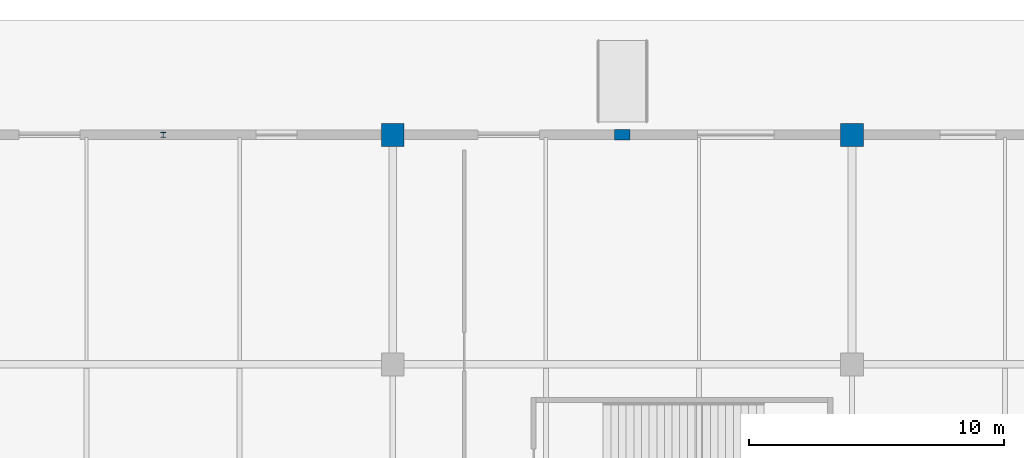
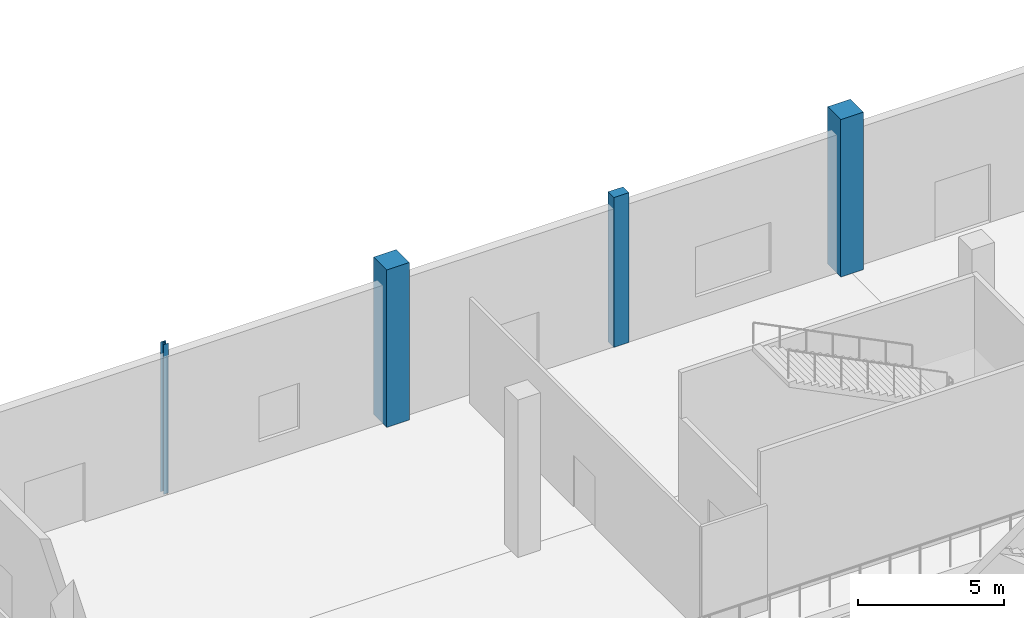
# One storey, part 5 of 65: 4 columns.
"""IFC4 building model written with IfcOpenShell, lengths in metres."""

from ifc_helpers import new_model, si_unit, direction, frame, origin, origin_2d, place, context, subcontext, project, spatial, rectangle, i_section, extrude, material, material_profile, profile_set, type_object, element, save


model = new_model("IFC4")

# Units and contexts
model_context = context("Model", 3, precision=1e-05, world=origin(), true_north=direction((0.0, 1.0)))
body_context = subcontext(model_context, "Body", "Model", "MODEL_VIEW")
ifc_project = project(units=[si_unit("LENGTHUNIT", "METRE"), si_unit("AREAUNIT", "SQUARE_METRE"), si_unit("VOLUMEUNIT", "CUBIC_METRE"), si_unit("PLANEANGLEUNIT", "RADIAN"), si_unit("MASSUNIT", "GRAM", prefix="KILO")], contexts=[model_context])

# Site, building, storey
site_placement = place(None, origin())
site = spatial("IfcSite", under=ifc_project, at=site_placement, CompositionType="ELEMENT")
building_placement = place(site_placement, origin())
building = spatial("IfcBuilding", under=site, at=building_placement, Name="Chuanluo Vaults Station", CompositionType="ELEMENT")
storey_placement = place(building_placement, origin())
storey = spatial("IfcBuildingStorey", under=building, at=storey_placement, Name="L00", CompositionType="ELEMENT", Elevation=0.0)

# Columns
ifc_material_1 = material(Name="Concrete C40", Category="concrete")
ifc_material_profile_1 = material_profile(ifc_material_1, rectangle(XDim=0.60009765625, YDim=0.39990234375, at=origin_2d()))
ifc_profile_set_1 = profile_set([ifc_material_profile_1], Name="Concrete C40")
column_type_1 = type_object("IfcColumnType", Name="COL-PIL-600x400", PredefinedType="PILASTER", material=ifc_profile_set_1)
column_1_placement = place(storey_placement, frame((27.0, 126.0, 0.0), z_axis=(0.0, 0.0, 1.0), x_axis=(1.0, 0.0, 0.0)))
element("IfcColumn", 1, at=column_1_placement, inside=storey, type_object=column_type_1, Name="Streetwall engaged pilaster 02", PredefinedType="PILASTER", context=body_context, shape_type="SweptSolid", body=[
    extrude(rectangle(XDim=0.60009765625, YDim=0.39990234375, at=origin_2d()), origin(), (0.0, 0.0, 1.0), 6.280029296875),
])
ifc_material_2 = material(Name="Concrete C50", Category="concrete")
ifc_material_profile_2 = material_profile(ifc_material_2, rectangle(XDim=0.89990234375, YDim=0.89990234375, at=origin_2d()))
ifc_profile_set_2 = profile_set([ifc_material_profile_2], Name="Concrete C50")
column_type_2 = type_object("IfcColumnType", Name="COL-RC-900x900", PredefinedType="COLUMN", material=ifc_profile_set_2)
for number, where, z_axis, x_axis, name in (
    (2, (18.0, 126.0, 0.0), (0.0, 0.0, 1.0), (1.0, 0.0, 0.0), "Column L00-025"),
    (3, (36.0, 126.0, 0.0), (0.0, 0.0, 1.0), (1.0, 0.0, 0.0), "Column L00-034"),
):
    element("IfcColumn", number, at=place(storey_placement, frame(where, z_axis=z_axis, x_axis=x_axis)), inside=storey, type_object=column_type_2, Name=name, PredefinedType="COLUMN", context=body_context, shape_type="SweptSolid", body=[
        extrude(rectangle(XDim=0.89990234375, YDim=0.89990234375, at=origin_2d()), origin(), (0.0, 0.0, 1.0), 6.60009765625),
    ])
ifc_material_3 = material(Name="Steel Q355C", Category="steel")
ifc_material_profile_3 = material_profile(ifc_material_3, i_section(OverallWidth=0.199951171875, OverallDepth=0.199951171875, WebThickness=0.008056640625, FlangeThickness=0.011962890625, FilletRadius=0.012939453125, at=origin_2d()))
ifc_profile_set_3 = profile_set([ifc_material_profile_3], Name="Steel Q355C")
column_type_3 = type_object("IfcColumnType", Name="COL-STL-HW200", PredefinedType="PILASTER", material=ifc_profile_set_3)
column_2_placement = place(storey_placement, frame((9.0, 126.0, 0.0), z_axis=(0.0, 0.0, 1.0), x_axis=(1.0, 0.0, 0.0)))
element("IfcColumn", 4, at=column_2_placement, inside=storey, type_object=column_type_3, Name="Streetwall engaged pilaster 01", PredefinedType="PILASTER", context=body_context, shape_type="SweptSolid", body=[
    extrude(i_section(OverallWidth=0.199951171875, OverallDepth=0.199951171875, WebThickness=0.008056640625, FlangeThickness=0.011962890625, FilletRadius=0.012939453125, at=origin_2d()), origin(), (0.0, 0.0, 1.0), 6.280029296875),
])

save(model, "model.ifc")
